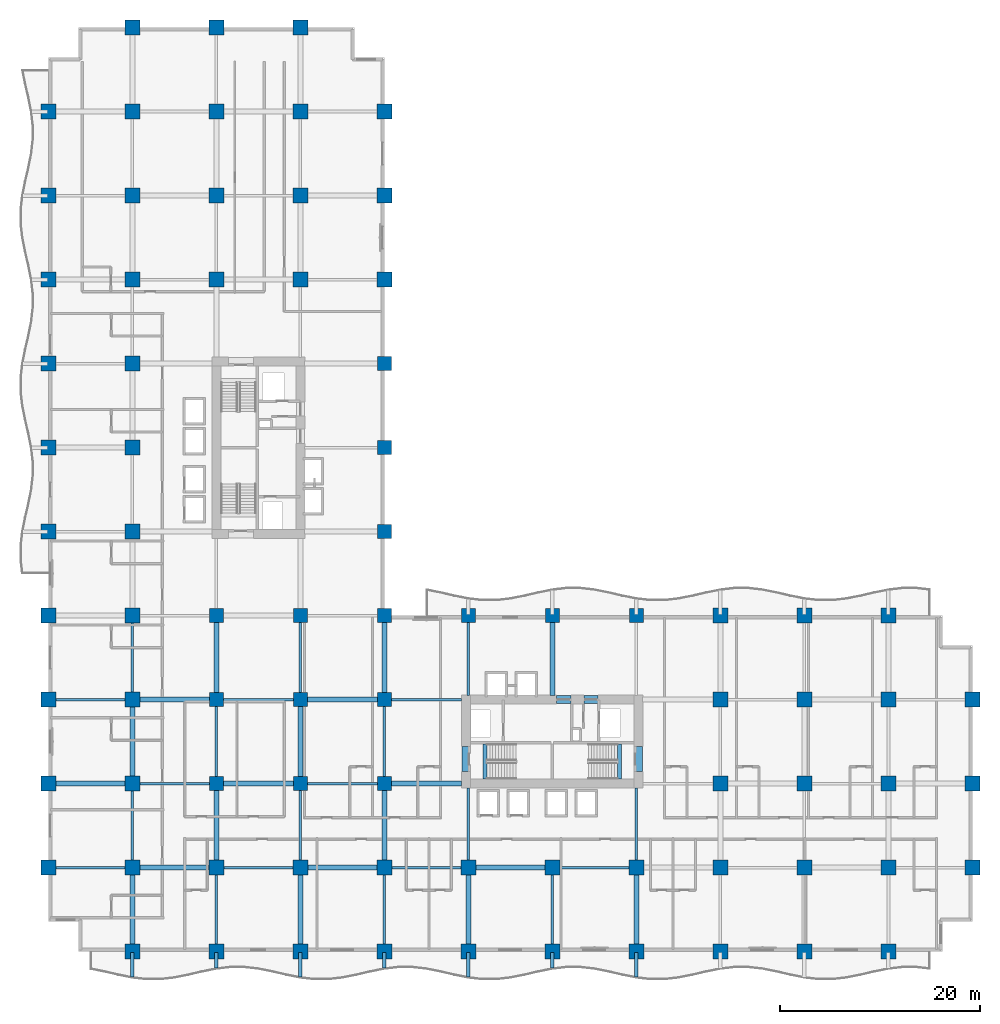
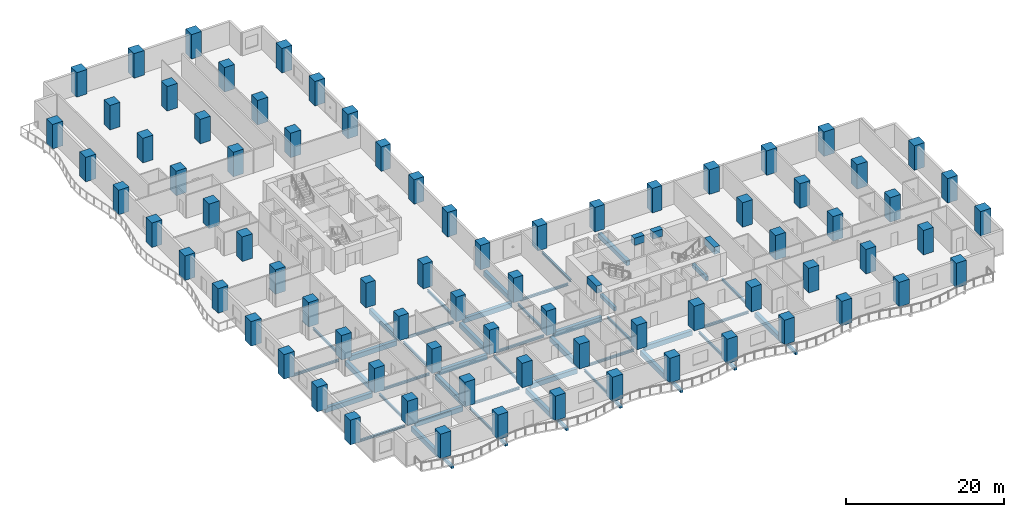
# One storey, part 1 of 22: 78 columns, 53 beams.
"""IFC4 building model written with IfcOpenShell, lengths in metres."""

from ifc_helpers import new_model, si_unit, direction, frame, origin, origin_2d, place, context, subcontext, project, spatial, rectangle, i_section, extrude, material, material_profile, profile_set, type_object, element, save


model = new_model("IFC4")

# Units and contexts
model_context = context("Model", 3, precision=1e-05, world=origin(), true_north=direction((0.0, 1.0)))
body_context = subcontext(model_context, "Body", "Model", "MODEL_VIEW")
ifc_project = project(units=[si_unit("LENGTHUNIT", "METRE"), si_unit("AREAUNIT", "SQUARE_METRE"), si_unit("VOLUMEUNIT", "CUBIC_METRE"), si_unit("PLANEANGLEUNIT", "RADIAN"), si_unit("MASSUNIT", "GRAM", prefix="KILO")], contexts=[model_context])

# Site, building, storey
site_placement = place(None, origin())
site = spatial("IfcSite", under=ifc_project, at=site_placement, CompositionType="ELEMENT")
building_placement = place(site_placement, origin())
building = spatial("IfcBuilding", under=site, at=building_placement, Name="Koriwani Terraces Tower", CompositionType="ELEMENT")
storey_placement = place(building_placement, frame((0.0, 0.0, 43.39990234375)))
storey = spatial("IfcBuildingStorey", under=building, at=storey_placement, Name="L09", CompositionType="ELEMENT", Elevation=43.39990234375)

# Columns
ifc_material_1 = material(Name="Concrete C60/75", Category="concrete")
ifc_material_profile_1 = material_profile(ifc_material_1, rectangle(XDim=1.39990234375, YDim=1.39990234375, at=origin_2d()), Name="Concrete C60/75", Category="LoadBearing")
ifc_profile_set_1 = profile_set([ifc_material_profile_1], Name="Concrete C60/75")
column_type_1 = type_object("IfcColumnType", Name="COL_RC_1400X1400", PredefinedType="COLUMN", material=ifc_profile_set_1)
for number, where, z_axis, x_axis, name in (
    (1, (16.800048828125, 16.800048828125, 0.0), (0.0, 0.0, 1.0), (1.0, 0.0, 0.0), "L09 Column 3/C"),
    (2, (16.800048828125, 25.199951171875, 0.0), (0.0, 0.0, 1.0), (1.0, 0.0, 0.0), "L09 Column 3/D"),
    (3, (16.800048828125, 33.60009765625, 0.0), (0.0, 0.0, 1.0), (1.0, 0.0, 0.0), "L09 Column 3/E"),
    (4, (25.199951171875, 16.800048828125, 0.0), (0.0, 0.0, 1.0), (1.0, 0.0, 0.0), "L09 Column 4/C"),
    (5, (25.199951171875, 25.199951171875, 0.0), (0.0, 0.0, 1.0), (1.0, 0.0, 0.0), "L09 Column 4/D"),
    (6, (25.199951171875, 33.60009765625, 0.0), (0.0, 0.0, 1.0), (1.0, 0.0, 0.0), "L09 Column 4/E"),
    (7, (33.60009765625, 16.800048828125, 0.0), (0.0, 0.0, 1.0), (1.0, 0.0, 0.0), "L09 Column 5/C"),
    (8, (33.60009765625, 25.199951171875, 0.0), (0.0, 0.0, 1.0), (1.0, 0.0, 0.0), "L09 Column 5/D"),
    (9, (33.60009765625, 33.60009765625, 0.0), (0.0, 0.0, 1.0), (1.0, 0.0, 0.0), "L09 Column 5/E"),
    (10, (33.60009765625, 42.0, 0.0), (0.0, 0.0, 1.0), (1.0, 0.0, 0.0), "L09 Column 5/F"),
    (11, (33.60009765625, 50.39990234375, 0.0), (0.0, 0.0, 1.0), (1.0, 0.0, 0.0), "L09 Column 5/G"),
    (12, (33.60009765625, 58.800048828125, 0.0), (0.0, 0.0, 1.0), (1.0, 0.0, 0.0), "L09 Column 5/H"),
    (13, (42.0, 33.60009765625, 0.0), (0.0, 0.0, 1.0), (1.0, 0.0, 0.0), "L09 Column 6/E"),
    (14, (50.39990234375, 33.60009765625, 0.0), (0.0, 0.0, 1.0), (1.0, 0.0, 0.0), "L09 Column 7/E"),
    (15, (58.800048828125, 33.60009765625, 0.0), (0.0, 0.0, 1.0), (1.0, 0.0, 0.0), "L09 Column 8/E"),
):
    element("IfcColumn", number, at=place(storey_placement, frame(where, z_axis=z_axis, x_axis=x_axis)), inside=storey, type_object=column_type_1, Name=name, PredefinedType="COLUMN", context=body_context, shape_type="SweptSolid", body=[
        extrude(rectangle(XDim=1.39990234375, YDim=1.39990234375, at=origin_2d()), origin(), (0.0, 0.0, 1.0), 3.800048828125),
    ])
ifc_material_profile_2 = material_profile(ifc_material_1, rectangle(XDim=1.5, YDim=1.5, at=origin_2d()), Name="Concrete C60/75", Category="LoadBearing")
ifc_profile_set_2 = profile_set([ifc_material_profile_2], Name="Concrete C60/75")
column_type_2 = type_object("IfcColumnType", Name="COL_RC_1500X1500", PredefinedType="COLUMN", material=ifc_profile_set_2)
for number, where, z_axis, x_axis, name in (
    (16, (0.0, 8.39990234375, 0.0), (0.0, 0.0, 1.0), (1.0, 0.0, 0.0), "L09 Column 1/B"),
    (17, (0.0, 16.800048828125, 0.0), (0.0, 0.0, 1.0), (1.0, 0.0, 0.0), "L09 Column 1/C"),
    (18, (0.0, 25.199951171875, 0.0), (0.0, 0.0, 1.0), (1.0, 0.0, 0.0), "L09 Column 1/D"),
    (19, (0.0, 33.60009765625, 0.0), (0.0, 0.0, 1.0), (1.0, 0.0, 0.0), "L09 Column 1/E"),
    (20, (0.0, 42.0, 0.0), (0.0, 0.0, 1.0), (1.0, 0.0, 0.0), "L09 Column 1/F"),
    (21, (0.0, 50.39990234375, 0.0), (0.0, 0.0, 1.0), (1.0, 0.0, 0.0), "L09 Column 1/G"),
    (22, (0.0, 58.800048828125, 0.0), (0.0, 0.0, 1.0), (1.0, 0.0, 0.0), "L09 Column 1/H"),
    (23, (0.0, 67.199951171875, 0.0), (0.0, 0.0, 1.0), (1.0, 0.0, 0.0), "L09 Column 1/I"),
    (24, (0.0, 75.60009765625, 0.0), (0.0, 0.0, 1.0), (1.0, 0.0, 0.0), "L09 Column 1/J"),
    (25, (0.0, 84.0, 0.0), (0.0, 0.0, 1.0), (1.0, 0.0, 0.0), "L09 Column 1/K"),
    (26, (8.39990234375, 0.0, 0.0), (0.0, 0.0, 1.0), (1.0, 0.0, 0.0), "L09 Column 2/A"),
    (27, (8.39990234375, 8.39990234375, 0.0), (0.0, 0.0, 1.0), (1.0, 0.0, 0.0), "L09 Column 2/B"),
    (28, (8.39990234375, 16.800048828125, 0.0), (0.0, 0.0, 1.0), (1.0, 0.0, 0.0), "L09 Column 2/C"),
    (29, (8.39990234375, 25.199951171875, 0.0), (0.0, 0.0, 1.0), (1.0, 0.0, 0.0), "L09 Column 2/D"),
    (30, (8.39990234375, 33.60009765625, 0.0), (0.0, 0.0, 1.0), (1.0, 0.0, 0.0), "L09 Column 2/E"),
    (31, (8.39990234375, 42.0, 0.0), (0.0, 0.0, 1.0), (1.0, 0.0, 0.0), "L09 Column 2/F"),
    (32, (8.39990234375, 50.39990234375, 0.0), (0.0, 0.0, 1.0), (1.0, 0.0, 0.0), "L09 Column 2/G"),
    (33, (8.39990234375, 58.800048828125, 0.0), (0.0, 0.0, 1.0), (1.0, 0.0, 0.0), "L09 Column 2/H"),
    (34, (8.39990234375, 67.199951171875, 0.0), (0.0, 0.0, 1.0), (1.0, 0.0, 0.0), "L09 Column 2/I"),
    (35, (8.39990234375, 75.60009765625, 0.0), (0.0, 0.0, 1.0), (1.0, 0.0, 0.0), "L09 Column 2/J"),
    (36, (8.39990234375, 84.0, 0.0), (0.0, 0.0, 1.0), (1.0, 0.0, 0.0), "L09 Column 2/K"),
    (37, (8.39990234375, 92.39990234375, 0.0), (0.0, 0.0, 1.0), (1.0, 0.0, 0.0), "L09 Column 2/L"),
    (38, (16.800048828125, 0.0, 0.0), (0.0, 0.0, 1.0), (1.0, 0.0, 0.0), "L09 Column 3/A"),
    (39, (16.800048828125, 8.39990234375, 0.0), (0.0, 0.0, 1.0), (1.0, 0.0, 0.0), "L09 Column 3/B"),
    (40, (16.800048828125, 67.199951171875, 0.0), (0.0, 0.0, 1.0), (1.0, 0.0, 0.0), "L09 Column 3/I"),
    (41, (16.800048828125, 75.60009765625, 0.0), (0.0, 0.0, 1.0), (1.0, 0.0, 0.0), "L09 Column 3/J"),
    (42, (16.800048828125, 84.0, 0.0), (0.0, 0.0, 1.0), (1.0, 0.0, 0.0), "L09 Column 3/K"),
    (43, (16.800048828125, 92.39990234375, 0.0), (0.0, 0.0, 1.0), (1.0, 0.0, 0.0), "L09 Column 3/L"),
    (44, (25.199951171875, 0.0, 0.0), (0.0, 0.0, 1.0), (1.0, 0.0, 0.0), "L09 Column 4/A"),
    (45, (25.199951171875, 8.39990234375, 0.0), (0.0, 0.0, 1.0), (1.0, 0.0, 0.0), "L09 Column 4/B"),
    (46, (25.199951171875, 67.199951171875, 0.0), (0.0, 0.0, 1.0), (1.0, 0.0, 0.0), "L09 Column 4/I"),
    (47, (25.199951171875, 75.60009765625, 0.0), (0.0, 0.0, 1.0), (1.0, 0.0, 0.0), "L09 Column 4/J"),
    (48, (25.199951171875, 84.0, 0.0), (0.0, 0.0, 1.0), (1.0, 0.0, 0.0), "L09 Column 4/K"),
    (49, (25.199951171875, 92.39990234375, 0.0), (0.0, 0.0, 1.0), (1.0, 0.0, 0.0), "L09 Column 4/L"),
    (50, (33.60009765625, 0.0, 0.0), (0.0, 0.0, 1.0), (1.0, 0.0, 0.0), "L09 Column 5/A"),
    (51, (33.60009765625, 8.39990234375, 0.0), (0.0, 0.0, 1.0), (1.0, 0.0, 0.0), "L09 Column 5/B"),
    (52, (33.60009765625, 67.199951171875, 0.0), (0.0, 0.0, 1.0), (1.0, 0.0, 0.0), "L09 Column 5/I"),
    (53, (33.60009765625, 75.60009765625, 0.0), (0.0, 0.0, 1.0), (1.0, 0.0, 0.0), "L09 Column 5/J"),
    (54, (33.60009765625, 84.0, 0.0), (0.0, 0.0, 1.0), (1.0, 0.0, 0.0), "L09 Column 5/K"),
    (55, (42.0, 0.0, 0.0), (0.0, 0.0, 1.0), (1.0, 0.0, 0.0), "L09 Column 6/A"),
    (56, (42.0, 8.39990234375, 0.0), (0.0, 0.0, 1.0), (1.0, 0.0, 0.0), "L09 Column 6/B"),
    (57, (50.39990234375, 0.0, 0.0), (0.0, 0.0, 1.0), (1.0, 0.0, 0.0), "L09 Column 7/A"),
    (58, (50.39990234375, 8.39990234375, 0.0), (0.0, 0.0, 1.0), (1.0, 0.0, 0.0), "L09 Column 7/B"),
    (59, (58.800048828125, 0.0, 0.0), (0.0, 0.0, 1.0), (1.0, 0.0, 0.0), "L09 Column 8/A"),
    (60, (58.800048828125, 8.39990234375, 0.0), (0.0, 0.0, 1.0), (1.0, 0.0, 0.0), "L09 Column 8/B"),
    (61, (67.199951171875, 0.0, 0.0), (0.0, 0.0, 1.0), (1.0, 0.0, 0.0), "L09 Column 9/A"),
    (62, (67.199951171875, 8.39990234375, 0.0), (0.0, 0.0, 1.0), (1.0, 0.0, 0.0), "L09 Column 9/B"),
    (63, (67.199951171875, 16.800048828125, 0.0), (0.0, 0.0, 1.0), (1.0, 0.0, 0.0), "L09 Column 9/C"),
    (64, (67.199951171875, 25.199951171875, 0.0), (0.0, 0.0, 1.0), (1.0, 0.0, 0.0), "L09 Column 9/D"),
    (65, (67.199951171875, 33.60009765625, 0.0), (0.0, 0.0, 1.0), (1.0, 0.0, 0.0), "L09 Column 9/E"),
    (66, (75.60009765625, 0.0, 0.0), (0.0, 0.0, 1.0), (1.0, 0.0, 0.0), "L09 Column 10/A"),
    (67, (75.60009765625, 8.39990234375, 0.0), (0.0, 0.0, 1.0), (1.0, 0.0, 0.0), "L09 Column 10/B"),
    (68, (75.60009765625, 16.800048828125, 0.0), (0.0, 0.0, 1.0), (1.0, 0.0, 0.0), "L09 Column 10/C"),
    (69, (75.60009765625, 25.199951171875, 0.0), (0.0, 0.0, 1.0), (1.0, 0.0, 0.0), "L09 Column 10/D"),
    (70, (75.60009765625, 33.60009765625, 0.0), (0.0, 0.0, 1.0), (1.0, 0.0, 0.0), "L09 Column 10/E"),
    (71, (84.0, 0.0, 0.0), (0.0, 0.0, 1.0), (1.0, 0.0, 0.0), "L09 Column 11/A"),
    (72, (84.0, 8.39990234375, 0.0), (0.0, 0.0, 1.0), (1.0, 0.0, 0.0), "L09 Column 11/B"),
    (73, (84.0, 16.800048828125, 0.0), (0.0, 0.0, 1.0), (1.0, 0.0, 0.0), "L09 Column 11/C"),
    (74, (84.0, 25.199951171875, 0.0), (0.0, 0.0, 1.0), (1.0, 0.0, 0.0), "L09 Column 11/D"),
    (75, (84.0, 33.60009765625, 0.0), (0.0, 0.0, 1.0), (1.0, 0.0, 0.0), "L09 Column 11/E"),
    (76, (92.39990234375, 8.39990234375, 0.0), (0.0, 0.0, 1.0), (1.0, 0.0, 0.0), "L09 Column 12/B"),
    (77, (92.39990234375, 16.800048828125, 0.0), (0.0, 0.0, 1.0), (1.0, 0.0, 0.0), "L09 Column 12/C"),
    (78, (92.39990234375, 25.199951171875, 0.0), (0.0, 0.0, 1.0), (1.0, 0.0, 0.0), "L09 Column 12/D"),
):
    element("IfcColumn", number, at=place(storey_placement, frame(where, z_axis=z_axis, x_axis=x_axis)), inside=storey, type_object=column_type_2, Name=name, PredefinedType="COLUMN", context=body_context, shape_type="SweptSolid", body=[
        extrude(rectangle(XDim=1.5, YDim=1.5, at=origin_2d()), origin(), (0.0, 0.0, 1.0), 3.800048828125),
    ])

# Beams
ifc_material_2 = material(Name="Concrete C40/50", Category="concrete")
ifc_material_profile_3 = material_profile(ifc_material_2, rectangle(XDim=0.35009765625, YDim=0.449951171875, at=origin_2d()), Name="Concrete C40/50", Category="LoadBearing")
ifc_profile_set_3 = profile_set([ifc_material_profile_3], Name="Concrete C40/50")
beam_type_1 = type_object("IfcBeamType", Name="BEAM_RC_BALCONY_RIB_350X450", PredefinedType="JOIST", material=ifc_profile_set_3)
beam_1_placement = place(storey_placement, frame((8.39990234375, -2.516845703125, -0.474853515625), z_axis=(0.0, 1.0, 0.0), x_axis=(-1.0, 0.0, 0.0)))
element("IfcBeam", 79, at=beam_1_placement, inside=storey, type_object=beam_type_1, Name="L09 Balcony Bracket Rib S-1", PredefinedType="JOIST", context=body_context, shape_type="SweptSolid", body=[
    extrude(rectangle(XDim=0.35009765625, YDim=0.449951171875, at=origin_2d()), origin(), (0.0, 0.0, 1.0), 2.416748046875),
])
beam_2_placement = place(storey_placement, frame((16.800048828125, -1.633056640625, -0.474853515625), z_axis=(0.0, 1.0, 0.0), x_axis=(-1.0, 0.0, 0.0)))
element("IfcBeam", 80, at=beam_2_placement, inside=storey, type_object=beam_type_1, Name="L09 Balcony Bracket Rib S-2", PredefinedType="JOIST", context=body_context, shape_type="SweptSolid", body=[
    extrude(rectangle(XDim=0.35009765625, YDim=0.449951171875, at=origin_2d()), origin(), (0.0, 0.0, 1.0), 1.532958984375),
])
beam_3_placement = place(storey_placement, frame((25.199951171875, -2.516845703125, -0.474853515625), z_axis=(0.0, 1.0, 0.0), x_axis=(-1.0, 0.0, 0.0)))
element("IfcBeam", 81, at=beam_3_placement, inside=storey, type_object=beam_type_1, Name="L09 Balcony Bracket Rib S-3", PredefinedType="JOIST", context=body_context, shape_type="SweptSolid", body=[
    extrude(rectangle(XDim=0.35009765625, YDim=0.449951171875, at=origin_2d()), origin(), (0.0, 0.0, 1.0), 2.416748046875),
])
beam_4_placement = place(storey_placement, frame((33.60009765625, -1.633056640625, -0.474853515625), z_axis=(0.0, 1.0, 0.0), x_axis=(-1.0, 0.0, 0.0)))
element("IfcBeam", 82, at=beam_4_placement, inside=storey, type_object=beam_type_1, Name="L09 Balcony Bracket Rib S-4", PredefinedType="JOIST", context=body_context, shape_type="SweptSolid", body=[
    extrude(rectangle(XDim=0.35009765625, YDim=0.449951171875, at=origin_2d()), origin(), (0.0, 0.0, 1.0), 1.532958984375),
])
beam_5_placement = place(storey_placement, frame((42.0, -2.516845703125, -0.474853515625), z_axis=(0.0, 1.0, 0.0), x_axis=(-1.0, 0.0, 0.0)))
element("IfcBeam", 83, at=beam_5_placement, inside=storey, type_object=beam_type_1, Name="L09 Balcony Bracket Rib S-5", PredefinedType="JOIST", context=body_context, shape_type="SweptSolid", body=[
    extrude(rectangle(XDim=0.35009765625, YDim=0.449951171875, at=origin_2d()), origin(), (0.0, 0.0, 1.0), 2.416748046875),
])
beam_6_placement = place(storey_placement, frame((50.39990234375, -1.633056640625, -0.474853515625), z_axis=(0.0, 1.0, 0.0), x_axis=(-1.0, 0.0, 0.0)))
element("IfcBeam", 84, at=beam_6_placement, inside=storey, type_object=beam_type_1, Name="L09 Balcony Bracket Rib S-6", PredefinedType="JOIST", context=body_context, shape_type="SweptSolid", body=[
    extrude(rectangle(XDim=0.35009765625, YDim=0.449951171875, at=origin_2d()), origin(), (0.0, 0.0, 1.0), 1.532958984375),
])
beam_7_placement = place(storey_placement, frame((58.800048828125, -2.516845703125, -0.474853515625), z_axis=(0.0, 1.0, 0.0), x_axis=(-1.0, 0.0, 0.0)))
element("IfcBeam", 85, at=beam_7_placement, inside=storey, type_object=beam_type_1, Name="L09 Balcony Bracket Rib S-7", PredefinedType="JOIST", context=body_context, shape_type="SweptSolid", body=[
    extrude(rectangle(XDim=0.35009765625, YDim=0.449951171875, at=origin_2d()), origin(), (0.0, 0.0, 1.0), 2.416748046875),
])
ifc_material_profile_4 = material_profile(ifc_material_1, rectangle(XDim=0.800048828125, YDim=1.10009765625, at=origin_2d()), Name="Concrete C60/75", Category="LoadBearing")
ifc_profile_set_4 = profile_set([ifc_material_profile_4], Name="Concrete C60/75")
beam_type_2 = type_object("IfcBeamType", Name="BEAM_RC_COUPLING_800X1100", PredefinedType="LINTEL", material=ifc_profile_set_4)
beam_8_placement = place(storey_placement, frame((50.800048828125, 25.199951171875, 3.0), z_axis=(1.0, 0.0, 0.0), x_axis=(0.0, 1.0, 0.0)))
element("IfcBeam", 86, at=beam_8_placement, inside=storey, type_object=beam_type_2, Name="L09 Core Coupling Lintel Beam EN1", PredefinedType="LINTEL", context=body_context, shape_type="SweptSolid", body=[
    extrude(rectangle(XDim=0.800048828125, YDim=1.10009765625, at=origin_2d()), origin(), (0.0, 0.0, 1.0), 1.47998046875),
])
beam_9_placement = place(storey_placement, frame((53.550048828125, 25.199951171875, 3.0), z_axis=(1.0, 0.0, 0.0), x_axis=(0.0, 1.0, 0.0)))
element("IfcBeam", 87, at=beam_9_placement, inside=storey, type_object=beam_type_2, Name="L09 Core Coupling Lintel Beam EN2", PredefinedType="LINTEL", context=body_context, shape_type="SweptSolid", body=[
    extrude(rectangle(XDim=0.800048828125, YDim=1.10009765625, at=origin_2d()), origin(), (0.0, 0.0, 1.0), 1.39990234375),
])
for number, where, z_axis, x_axis, name in (
    (88, (41.75, 18.0, 3.0), (0.0, 1.0, 0.0), (-1.0, 0.0, 0.0), "L09 Core Coupling Lintel Beam EW"),
    (89, (59.0, 18.0, 3.0), (0.0, 1.0, 0.0), (-1.0, 0.0, 0.0), "L09 Core Coupling Lintel Beam EE"),
):
    element("IfcBeam", number, at=place(storey_placement, frame(where, z_axis=z_axis, x_axis=x_axis)), inside=storey, type_object=beam_type_2, Name=name, PredefinedType="LINTEL", context=body_context, shape_type="SweptSolid", body=[
        extrude(rectangle(XDim=0.800048828125, YDim=1.10009765625, at=origin_2d()), origin(), (0.0, 0.0, 1.0), 2.5),
    ])
ifc_material_profile_5 = material_profile(ifc_material_2, rectangle(XDim=0.39990234375, YDim=0.60009765625, at=origin_2d()), Name="Concrete C40/50", Category="LoadBearing")
ifc_profile_set_5 = profile_set([ifc_material_profile_5], Name="Concrete C40/50")
beam_type_3 = type_object("IfcBeamType", Name="BEAM_RC_GRID_400X600", PredefinedType="BEAM", material=ifc_profile_set_5)
for number, where, z_axis, x_axis, name in (
    (90, (43.655029296875, 17.25, -0.2998046875), (0.0, 1.0, 0.0), (-1.0, 0.0, 0.0), "L09 Stairwell Header Trimmer Beam ST-E1"),
    (91, (57.094970703125, 17.25, -0.2998046875), (0.0, 1.0, 0.0), (-1.0, 0.0, 0.0), "L09 Stairwell Header Trimmer Beam ST-E2"),
):
    element("IfcBeam", number, at=place(storey_placement, frame(where, z_axis=z_axis, x_axis=x_axis)), inside=storey, type_object=beam_type_3, Name=name, PredefinedType="BEAM", context=body_context, shape_type="SweptSolid", body=[
        extrude(rectangle(XDim=0.39990234375, YDim=0.60009765625, at=origin_2d()), origin(), (0.0, 0.0, 1.0), 3.5),
    ])
ifc_material_3 = material(Name="Concrete C50/60", Category="concrete")
ifc_material_profile_6 = material_profile(ifc_material_3, rectangle(XDim=0.5, YDim=0.75, at=origin_2d()), Name="Concrete C50/60", Category="LoadBearing")
ifc_profile_set_6 = profile_set([ifc_material_profile_6], Name="Concrete C50/60")
beam_type_4 = type_object("IfcBeamType", Name="BEAM_RC_GRID_500X750", PredefinedType="BEAM", material=ifc_profile_set_6)
for number, where, z_axis, x_axis, name in (
    (92, (9.1298828125, 8.39990234375, -0.625), (1.0, 0.0, 0.0), (0.0, 1.0, 0.0), "L09 Grid Beam B (8.4-16.8m)"),
    (93, (25.929931640625, 8.39990234375, -0.625), (1.0, 0.0, 0.0), (0.0, 1.0, 0.0), "L09 Grid Beam B (25.2-33.6m)"),
):
    element("IfcBeam", number, at=place(storey_placement, frame(where, z_axis=z_axis, x_axis=x_axis)), inside=storey, type_object=beam_type_4, Name=name, PredefinedType="BEAM", context=body_context, shape_type="SweptSolid", body=[
        extrude(rectangle(XDim=0.5, YDim=0.75, at=origin_2d()), origin(), (0.0, 0.0, 1.0), 6.940185546875),
    ])
for number, where, z_axis, x_axis, name in (
    (94, (42.72998046875, 8.39990234375, -0.625), (1.0, 0.0, 0.0), (0.0, 1.0, 0.0), "L09 Grid Beam B (42.0-50.4m)"),
    (95, (0.72998046875, 16.800048828125, -0.625), (1.0, 0.0, 0.0), (0.0, 1.0, 0.0), "L09 Grid Beam C (0.0-8.4m)"),
):
    element("IfcBeam", number, at=place(storey_placement, frame(where, z_axis=z_axis, x_axis=x_axis)), inside=storey, type_object=beam_type_4, Name=name, PredefinedType="BEAM", context=body_context, shape_type="SweptSolid", body=[
        extrude(rectangle(XDim=0.5, YDim=0.75, at=origin_2d()), origin(), (0.0, 0.0, 1.0), 6.93994140625),
    ])
for number, where, z_axis, x_axis, name in (
    (96, (17.47998046875, 16.800048828125, -0.625), (1.0, 0.0, 0.0), (0.0, 1.0, 0.0), "L09 Grid Beam C (16.8-25.2m)"),
    (97, (34.280029296875, 16.800048828125, -0.625), (1.0, 0.0, 0.0), (0.0, 1.0, 0.0), "L09 Grid Beam C (33.6-42.0m)"),
):
    element("IfcBeam", number, at=place(storey_placement, frame(where, z_axis=z_axis, x_axis=x_axis)), inside=storey, type_object=beam_type_4, Name=name, PredefinedType="BEAM", context=body_context, shape_type="SweptSolid", body=[
        extrude(rectangle(XDim=0.5, YDim=0.75, at=origin_2d()), origin(), (0.0, 0.0, 1.0), 7.0400390625),
    ])
beam_10_placement = place(storey_placement, frame((9.1298828125, 25.199951171875, -0.625), z_axis=(1.0, 0.0, 0.0), x_axis=(0.0, 1.0, 0.0)))
element("IfcBeam", 98, at=beam_10_placement, inside=storey, type_object=beam_type_4, Name="L09 Grid Beam D (8.4-16.8m)", PredefinedType="BEAM", context=body_context, shape_type="SweptSolid", body=[
    extrude(rectangle(XDim=0.5, YDim=0.75, at=origin_2d()), origin(), (0.0, 0.0, 1.0), 6.990234375),
])
beam_11_placement = place(storey_placement, frame((25.8798828125, 25.199951171875, -0.625), z_axis=(1.0, 0.0, 0.0), x_axis=(0.0, 1.0, 0.0)))
element("IfcBeam", 99, at=beam_11_placement, inside=storey, type_object=beam_type_4, Name="L09 Grid Beam D (25.2-33.6m)", PredefinedType="BEAM", context=body_context, shape_type="SweptSolid", body=[
    extrude(rectangle(XDim=0.5, YDim=0.75, at=origin_2d()), origin(), (0.0, 0.0, 1.0), 7.0400390625),
])
for number, where, z_axis, x_axis, name in (
    (100, (8.39990234375, 0.72998046875, -0.625), (0.0, 1.0, 0.0), (-1.0, 0.0, 0.0), "L09 Grid Beam 2 (0.0-8.4m)"),
    (101, (8.39990234375, 17.530029296875, -0.625), (0.0, 1.0, 0.0), (-1.0, 0.0, 0.0), "L09 Grid Beam 2 (16.8-25.2m)"),
):
    element("IfcBeam", number, at=place(storey_placement, frame(where, z_axis=z_axis, x_axis=x_axis)), inside=storey, type_object=beam_type_4, Name=name, PredefinedType="BEAM", context=body_context, shape_type="SweptSolid", body=[
        extrude(rectangle(XDim=0.5, YDim=0.75, at=origin_2d()), origin(), (0.0, 0.0, 1.0), 6.93994140625),
    ])
beam_12_placement = place(storey_placement, frame((16.800048828125, 9.1298828125, -0.625), z_axis=(0.0, 1.0, 0.0), x_axis=(-1.0, 0.0, 0.0)))
element("IfcBeam", 102, at=beam_12_placement, inside=storey, type_object=beam_type_4, Name="L09 Grid Beam 3 (8.4-16.8m)", PredefinedType="BEAM", context=body_context, shape_type="SweptSolid", body=[
    extrude(rectangle(XDim=0.5, YDim=0.75, at=origin_2d()), origin(), (0.0, 0.0, 1.0), 6.990234375),
])
beam_13_placement = place(storey_placement, frame((16.800048828125, 25.8798828125, -0.625), z_axis=(0.0, 1.0, 0.0), x_axis=(-1.0, 0.0, 0.0)))
element("IfcBeam", 103, at=beam_13_placement, inside=storey, type_object=beam_type_4, Name="L09 Grid Beam 3 (25.2-33.6m)", PredefinedType="BEAM", context=body_context, shape_type="SweptSolid", body=[
    extrude(rectangle(XDim=0.5, YDim=0.75, at=origin_2d()), origin(), (0.0, 0.0, 1.0), 7.0400390625),
])
beam_14_placement = place(storey_placement, frame((25.199951171875, 0.72998046875, -0.625), z_axis=(0.0, 1.0, 0.0), x_axis=(-1.0, 0.0, 0.0)))
element("IfcBeam", 104, at=beam_14_placement, inside=storey, type_object=beam_type_4, Name="L09 Grid Beam 4 (0.0-8.4m)", PredefinedType="BEAM", context=body_context, shape_type="SweptSolid", body=[
    extrude(rectangle(XDim=0.5, YDim=0.75, at=origin_2d()), origin(), (0.0, 0.0, 1.0), 6.93994140625),
])
beam_15_placement = place(storey_placement, frame((25.199951171875, 17.47998046875, -0.625), z_axis=(0.0, 1.0, 0.0), x_axis=(-1.0, 0.0, 0.0)))
element("IfcBeam", 105, at=beam_15_placement, inside=storey, type_object=beam_type_4, Name="L09 Grid Beam 4 (16.8-25.2m)", PredefinedType="BEAM", context=body_context, shape_type="SweptSolid", body=[
    extrude(rectangle(XDim=0.5, YDim=0.75, at=origin_2d()), origin(), (0.0, 0.0, 1.0), 7.0400390625),
])
beam_16_placement = place(storey_placement, frame((33.60009765625, 9.1298828125, -0.625), z_axis=(0.0, 1.0, 0.0), x_axis=(-1.0, 0.0, 0.0)))
element("IfcBeam", 106, at=beam_16_placement, inside=storey, type_object=beam_type_4, Name="L09 Grid Beam 5 (8.4-16.8m)", PredefinedType="BEAM", context=body_context, shape_type="SweptSolid", body=[
    extrude(rectangle(XDim=0.5, YDim=0.75, at=origin_2d()), origin(), (0.0, 0.0, 1.0), 6.990234375),
])
beam_17_placement = place(storey_placement, frame((33.60009765625, 25.8798828125, -0.625), z_axis=(0.0, 1.0, 0.0), x_axis=(-1.0, 0.0, 0.0)))
element("IfcBeam", 107, at=beam_17_placement, inside=storey, type_object=beam_type_4, Name="L09 Grid Beam 5 (25.2-33.6m)", PredefinedType="BEAM", context=body_context, shape_type="SweptSolid", body=[
    extrude(rectangle(XDim=0.5, YDim=0.75, at=origin_2d()), origin(), (0.0, 0.0, 1.0), 7.0400390625),
])
beam_18_placement = place(storey_placement, frame((42.0, 0.72998046875, -0.625), z_axis=(0.0, 1.0, 0.0), x_axis=(-1.0, 0.0, 0.0)))
element("IfcBeam", 108, at=beam_18_placement, inside=storey, type_object=beam_type_4, Name="L09 Grid Beam 6 (0.0-8.4m)", PredefinedType="BEAM", context=body_context, shape_type="SweptSolid", body=[
    extrude(rectangle(XDim=0.5, YDim=0.75, at=origin_2d()), origin(), (0.0, 0.0, 1.0), 6.93994140625),
])
beam_19_placement = place(storey_placement, frame((50.39990234375, 25.6298828125, -0.625), z_axis=(0.0, 1.0, 0.0), x_axis=(-1.0, 0.0, 0.0)))
element("IfcBeam", 109, at=beam_19_placement, inside=storey, type_object=beam_type_4, Name="L09 Grid Beam 7 (25.2-33.6m)", PredefinedType="BEAM", context=body_context, shape_type="SweptSolid", body=[
    extrude(rectangle(XDim=0.5, YDim=0.75, at=origin_2d()), origin(), (0.0, 0.0, 1.0), 7.2900390625),
])
beam_20_placement = place(storey_placement, frame((58.800048828125, 0.72998046875, -0.625), z_axis=(0.0, 1.0, 0.0), x_axis=(-1.0, 0.0, 0.0)))
element("IfcBeam", 110, at=beam_20_placement, inside=storey, type_object=beam_type_4, Name="L09 Grid Beam 8 (0.0-8.4m)", PredefinedType="BEAM", context=body_context, shape_type="SweptSolid", body=[
    extrude(rectangle(XDim=0.5, YDim=0.75, at=origin_2d()), origin(), (0.0, 0.0, 1.0), 6.93994140625),
])
ifc_material_4 = material(Name="Steel ASTM A572 Grade 50", Category="steel")
ifc_material_profile_7 = material_profile(ifc_material_4, i_section(OverallWidth=0.257080078125, OverallDepth=0.363037109375, WebThickness=0.012939453125, FlangeThickness=0.021728515625, at=origin_2d()), Name="Steel ASTM A572 Grade 50", Category="LoadBearing")
ifc_profile_set_7 = profile_set([ifc_material_profile_7], Name="Steel ASTM A572 Grade 50")
beam_type_5 = type_object("IfcBeamType", Name="STEEL_BEAM_W360X122", PredefinedType="JOIST", material=ifc_profile_set_7)
for number, where, z_axis, x_axis, name in (
    (111, (0.72998046875, 8.39990234375, -0.431396484375), (1.0, 0.0, 0.0), (0.0, 1.0, 0.0), "L09 Grid Beam B (0.0-8.4m)"),
    (112, (17.530029296875, 8.39990234375, -0.431396484375), (1.0, 0.0, 0.0), (0.0, 1.0, 0.0), "L09 Grid Beam B (16.8-25.2m)"),
    (113, (34.330078125, 8.39990234375, -0.431396484375), (1.0, 0.0, 0.0), (0.0, 1.0, 0.0), "L09 Grid Beam B (33.6-42.0m)"),
):
    element("IfcBeam", number, at=place(storey_placement, frame(where, z_axis=z_axis, x_axis=x_axis)), inside=storey, type_object=beam_type_5, Name=name, PredefinedType="JOIST", context=body_context, shape_type="SweptSolid", body=[
        extrude(i_section(OverallWidth=0.257080078125, OverallDepth=0.363037109375, WebThickness=0.012939453125, FlangeThickness=0.021728515625, at=origin_2d()), origin(), (0.0, 0.0, 1.0), 6.93994140625),
    ])
beam_21_placement = place(storey_placement, frame((51.1298828125, 8.39990234375, -0.431396484375), z_axis=(1.0, 0.0, 0.0), x_axis=(0.0, 1.0, 0.0)))
element("IfcBeam", 114, at=beam_21_placement, inside=storey, type_object=beam_type_5, Name="L09 Grid Beam B (50.4-58.8m)", PredefinedType="JOIST", context=body_context, shape_type="SweptSolid", body=[
    extrude(i_section(OverallWidth=0.257080078125, OverallDepth=0.363037109375, WebThickness=0.012939453125, FlangeThickness=0.021728515625, at=origin_2d()), origin(), (0.0, 0.0, 1.0), 6.940185546875),
])
beam_22_placement = place(storey_placement, frame((9.1298828125, 16.800048828125, -0.431396484375), z_axis=(1.0, 0.0, 0.0), x_axis=(0.0, 1.0, 0.0)))
element("IfcBeam", 115, at=beam_22_placement, inside=storey, type_object=beam_type_5, Name="L09 Grid Beam C (8.4-16.8m)", PredefinedType="JOIST", context=body_context, shape_type="SweptSolid", body=[
    extrude(i_section(OverallWidth=0.257080078125, OverallDepth=0.363037109375, WebThickness=0.012939453125, FlangeThickness=0.021728515625, at=origin_2d()), origin(), (0.0, 0.0, 1.0), 6.990234375),
])
beam_23_placement = place(storey_placement, frame((25.8798828125, 16.800048828125, -0.431396484375), z_axis=(1.0, 0.0, 0.0), x_axis=(0.0, 1.0, 0.0)))
element("IfcBeam", 116, at=beam_23_placement, inside=storey, type_object=beam_type_5, Name="L09 Grid Beam C (25.2-33.6m)", PredefinedType="JOIST", context=body_context, shape_type="SweptSolid", body=[
    extrude(i_section(OverallWidth=0.257080078125, OverallDepth=0.363037109375, WebThickness=0.012939453125, FlangeThickness=0.021728515625, at=origin_2d()), origin(), (0.0, 0.0, 1.0), 7.0400390625),
])
beam_24_placement = place(storey_placement, frame((0.72998046875, 25.199951171875, -0.431396484375), z_axis=(1.0, 0.0, 0.0), x_axis=(0.0, 1.0, 0.0)))
element("IfcBeam", 117, at=beam_24_placement, inside=storey, type_object=beam_type_5, Name="L09 Grid Beam D (0.0-8.4m)", PredefinedType="JOIST", context=body_context, shape_type="SweptSolid", body=[
    extrude(i_section(OverallWidth=0.257080078125, OverallDepth=0.363037109375, WebThickness=0.012939453125, FlangeThickness=0.021728515625, at=origin_2d()), origin(), (0.0, 0.0, 1.0), 6.93994140625),
])
for number, where, z_axis, x_axis, name in (
    (118, (17.47998046875, 25.199951171875, -0.431396484375), (1.0, 0.0, 0.0), (0.0, 1.0, 0.0), "L09 Grid Beam D (16.8-25.2m)"),
    (119, (34.280029296875, 25.199951171875, -0.431396484375), (1.0, 0.0, 0.0), (0.0, 1.0, 0.0), "L09 Grid Beam D (33.6-42.0m)"),
):
    element("IfcBeam", number, at=place(storey_placement, frame(where, z_axis=z_axis, x_axis=x_axis)), inside=storey, type_object=beam_type_5, Name=name, PredefinedType="JOIST", context=body_context, shape_type="SweptSolid", body=[
        extrude(i_section(OverallWidth=0.257080078125, OverallDepth=0.363037109375, WebThickness=0.012939453125, FlangeThickness=0.021728515625, at=origin_2d()), origin(), (0.0, 0.0, 1.0), 7.0400390625),
    ])
for number, where, z_axis, x_axis, name in (
    (120, (8.39990234375, 9.1298828125, -0.431396484375), (0.0, 1.0, 0.0), (-1.0, 0.0, 0.0), "L09 Grid Beam 2 (8.4-16.8m)"),
    (121, (8.39990234375, 25.929931640625, -0.431396484375), (0.0, 1.0, 0.0), (-1.0, 0.0, 0.0), "L09 Grid Beam 2 (25.2-33.6m)"),
):
    element("IfcBeam", number, at=place(storey_placement, frame(where, z_axis=z_axis, x_axis=x_axis)), inside=storey, type_object=beam_type_5, Name=name, PredefinedType="JOIST", context=body_context, shape_type="SweptSolid", body=[
        extrude(i_section(OverallWidth=0.257080078125, OverallDepth=0.363037109375, WebThickness=0.012939453125, FlangeThickness=0.021728515625, at=origin_2d()), origin(), (0.0, 0.0, 1.0), 6.940185546875),
    ])
beam_25_placement = place(storey_placement, frame((16.800048828125, 0.72998046875, -0.431396484375), z_axis=(0.0, 1.0, 0.0), x_axis=(-1.0, 0.0, 0.0)))
element("IfcBeam", 122, at=beam_25_placement, inside=storey, type_object=beam_type_5, Name="L09 Grid Beam 3 (0.0-8.4m)", PredefinedType="JOIST", context=body_context, shape_type="SweptSolid", body=[
    extrude(i_section(OverallWidth=0.257080078125, OverallDepth=0.363037109375, WebThickness=0.012939453125, FlangeThickness=0.021728515625, at=origin_2d()), origin(), (0.0, 0.0, 1.0), 6.93994140625),
])
beam_26_placement = place(storey_placement, frame((16.800048828125, 17.47998046875, -0.431396484375), z_axis=(0.0, 1.0, 0.0), x_axis=(-1.0, 0.0, 0.0)))
element("IfcBeam", 123, at=beam_26_placement, inside=storey, type_object=beam_type_5, Name="L09 Grid Beam 3 (16.8-25.2m)", PredefinedType="JOIST", context=body_context, shape_type="SweptSolid", body=[
    extrude(i_section(OverallWidth=0.257080078125, OverallDepth=0.363037109375, WebThickness=0.012939453125, FlangeThickness=0.021728515625, at=origin_2d()), origin(), (0.0, 0.0, 1.0), 7.0400390625),
])
beam_27_placement = place(storey_placement, frame((25.199951171875, 9.1298828125, -0.431396484375), z_axis=(0.0, 1.0, 0.0), x_axis=(-1.0, 0.0, 0.0)))
element("IfcBeam", 124, at=beam_27_placement, inside=storey, type_object=beam_type_5, Name="L09 Grid Beam 4 (8.4-16.8m)", PredefinedType="JOIST", context=body_context, shape_type="SweptSolid", body=[
    extrude(i_section(OverallWidth=0.257080078125, OverallDepth=0.363037109375, WebThickness=0.012939453125, FlangeThickness=0.021728515625, at=origin_2d()), origin(), (0.0, 0.0, 1.0), 6.990234375),
])
beam_28_placement = place(storey_placement, frame((25.199951171875, 25.8798828125, -0.431396484375), z_axis=(0.0, 1.0, 0.0), x_axis=(-1.0, 0.0, 0.0)))
element("IfcBeam", 125, at=beam_28_placement, inside=storey, type_object=beam_type_5, Name="L09 Grid Beam 4 (25.2-33.6m)", PredefinedType="JOIST", context=body_context, shape_type="SweptSolid", body=[
    extrude(i_section(OverallWidth=0.257080078125, OverallDepth=0.363037109375, WebThickness=0.012939453125, FlangeThickness=0.021728515625, at=origin_2d()), origin(), (0.0, 0.0, 1.0), 7.0400390625),
])
beam_29_placement = place(storey_placement, frame((33.60009765625, 0.72998046875, -0.431396484375), z_axis=(0.0, 1.0, 0.0), x_axis=(-1.0, 0.0, 0.0)))
element("IfcBeam", 126, at=beam_29_placement, inside=storey, type_object=beam_type_5, Name="L09 Grid Beam 5 (0.0-8.4m)", PredefinedType="JOIST", context=body_context, shape_type="SweptSolid", body=[
    extrude(i_section(OverallWidth=0.257080078125, OverallDepth=0.363037109375, WebThickness=0.012939453125, FlangeThickness=0.021728515625, at=origin_2d()), origin(), (0.0, 0.0, 1.0), 6.93994140625),
])
beam_30_placement = place(storey_placement, frame((33.60009765625, 17.47998046875, -0.431396484375), z_axis=(0.0, 1.0, 0.0), x_axis=(-1.0, 0.0, 0.0)))
element("IfcBeam", 127, at=beam_30_placement, inside=storey, type_object=beam_type_5, Name="L09 Grid Beam 5 (16.8-25.2m)", PredefinedType="JOIST", context=body_context, shape_type="SweptSolid", body=[
    extrude(i_section(OverallWidth=0.257080078125, OverallDepth=0.363037109375, WebThickness=0.012939453125, FlangeThickness=0.021728515625, at=origin_2d()), origin(), (0.0, 0.0, 1.0), 7.0400390625),
])
beam_31_placement = place(storey_placement, frame((42.0, 9.1298828125, -0.431396484375), z_axis=(0.0, 1.0, 0.0), x_axis=(-1.0, 0.0, 0.0)))
element("IfcBeam", 128, at=beam_31_placement, inside=storey, type_object=beam_type_5, Name="L09 Grid Beam 6 (8.4-16.8m)", PredefinedType="JOIST", context=body_context, shape_type="SweptSolid", body=[
    extrude(i_section(OverallWidth=0.257080078125, OverallDepth=0.363037109375, WebThickness=0.012939453125, FlangeThickness=0.021728515625, at=origin_2d()), origin(), (0.0, 0.0, 1.0), 7.240234375),
])
beam_32_placement = place(storey_placement, frame((42.0, 25.6298828125, -0.431396484375), z_axis=(0.0, 1.0, 0.0), x_axis=(-1.0, 0.0, 0.0)))
element("IfcBeam", 129, at=beam_32_placement, inside=storey, type_object=beam_type_5, Name="L09 Grid Beam 6 (25.2-33.6m)", PredefinedType="JOIST", context=body_context, shape_type="SweptSolid", body=[
    extrude(i_section(OverallWidth=0.257080078125, OverallDepth=0.363037109375, WebThickness=0.012939453125, FlangeThickness=0.021728515625, at=origin_2d()), origin(), (0.0, 0.0, 1.0), 7.2900390625),
])
beam_33_placement = place(storey_placement, frame((50.39990234375, 0.72998046875, -0.431396484375), z_axis=(0.0, 1.0, 0.0), x_axis=(-1.0, 0.0, 0.0)))
element("IfcBeam", 130, at=beam_33_placement, inside=storey, type_object=beam_type_5, Name="L09 Grid Beam 7 (0.0-8.4m)", PredefinedType="JOIST", context=body_context, shape_type="SweptSolid", body=[
    extrude(i_section(OverallWidth=0.257080078125, OverallDepth=0.363037109375, WebThickness=0.012939453125, FlangeThickness=0.021728515625, at=origin_2d()), origin(), (0.0, 0.0, 1.0), 6.93994140625),
])
beam_34_placement = place(storey_placement, frame((58.800048828125, 9.1298828125, -0.431396484375), z_axis=(0.0, 1.0, 0.0), x_axis=(-1.0, 0.0, 0.0)))
element("IfcBeam", 131, at=beam_34_placement, inside=storey, type_object=beam_type_5, Name="L09 Grid Beam 8 (8.4-16.8m)", PredefinedType="JOIST", context=body_context, shape_type="SweptSolid", body=[
    extrude(i_section(OverallWidth=0.257080078125, OverallDepth=0.363037109375, WebThickness=0.012939453125, FlangeThickness=0.021728515625, at=origin_2d()), origin(), (0.0, 0.0, 1.0), 7.240234375),
])

save(model, "model.ifc")
